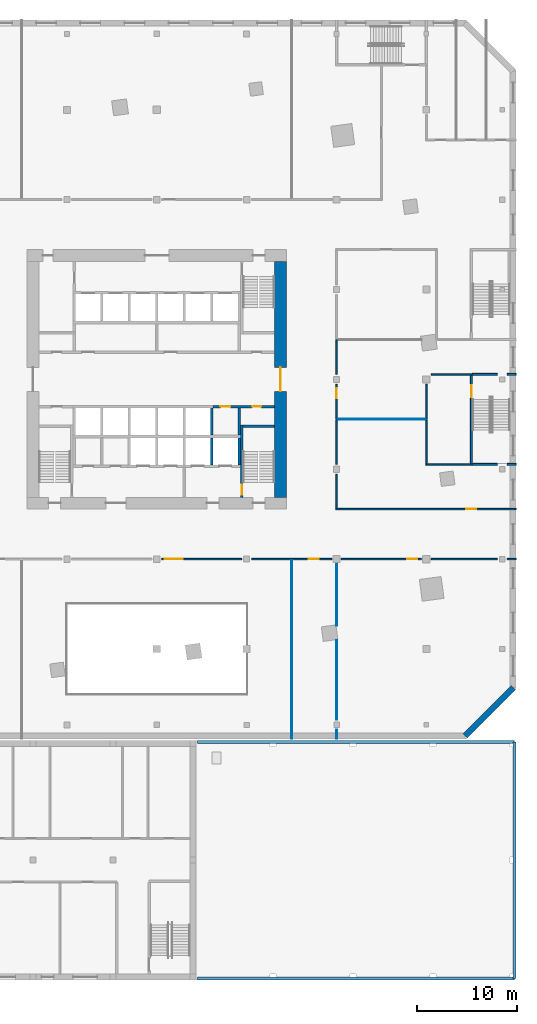
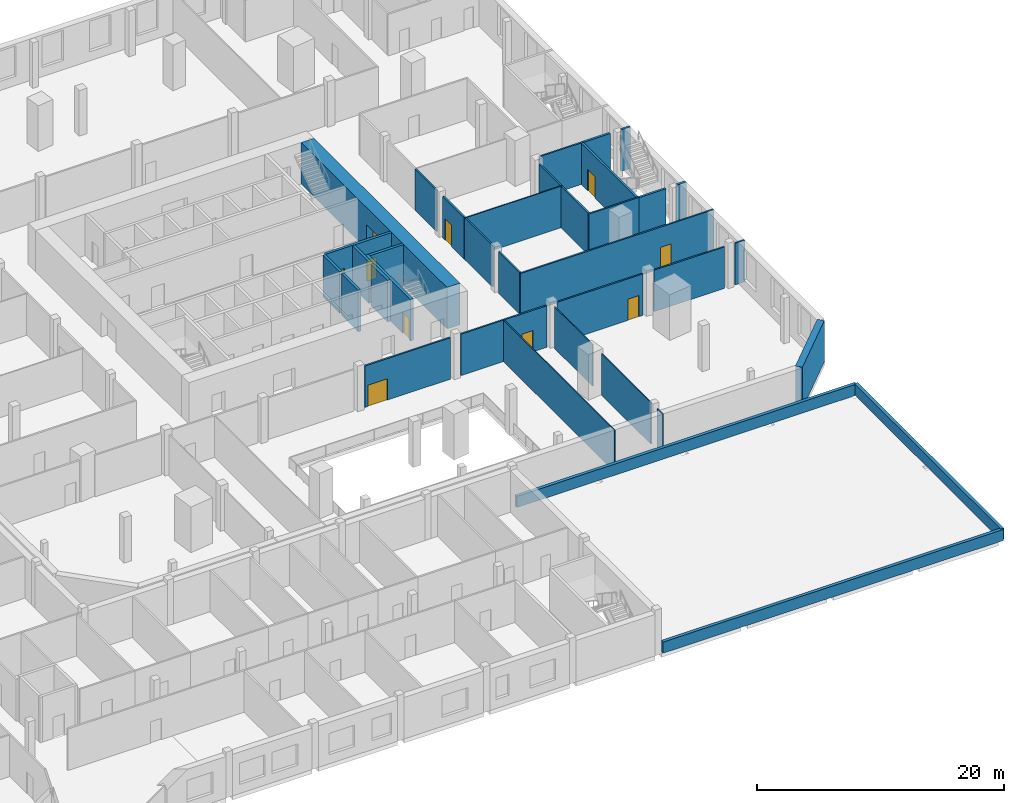
# One storey, part 8 of 20: 36 walls, 10 doors, 10 openings.
"""IFC4 building model written with IfcOpenShell, lengths in metres."""

from ifc_helpers import new_model, si_unit, direction, frame, frame_2d, origin, place, context, subcontext, project, spatial, rectangle, extrude, material, layer, layer_set, type_object, element, fill, save


model = new_model("IFC4")

# Units and contexts
model_context = context("Model", 3, precision=1e-05, world=origin(), true_north=direction((0.0, 1.0)))
body_context = subcontext(model_context, "Body", "Model", "MODEL_VIEW")
ifc_project = project(units=[si_unit("LENGTHUNIT", "METRE"), si_unit("AREAUNIT", "SQUARE_METRE"), si_unit("VOLUMEUNIT", "CUBIC_METRE"), si_unit("PLANEANGLEUNIT", "RADIAN"), si_unit("MASSUNIT", "GRAM", prefix="KILO")], contexts=[model_context])

# Site, building, storey
site_placement = place(None, origin())
site = spatial("IfcSite", under=ifc_project, at=site_placement, CompositionType="ELEMENT")
building_placement = place(site_placement, origin())
building = spatial("IfcBuilding", under=site, at=building_placement, Name="Dilmun Exchange Tower", CompositionType="ELEMENT")
storey_placement = place(building_placement, frame((0.0, 0.0, 9.0)))
storey = spatial("IfcBuildingStorey", under=building, at=storey_placement, Name="L02", CompositionType="ELEMENT", Elevation=9.0)

# Wall
ifc_material_1 = material(Name="Concrete C40/50", Category="concrete")
ifc_layer_1 = layer(ifc_material_1, 0.25)
ifc_layer_set_1 = layer_set([ifc_layer_1], Name="Concrete C40/50")
wall_type_1 = type_object("IfcWallType", Name="Core partition wall 250", PredefinedType="PARTITIONING", material=ifc_layer_set_1)
wall_1_placement = place(storey_placement, frame((8.25, -5.544921875, 0.0), z_axis=(0.0, 0.0, 1.0), x_axis=(0.0, 1.0, 0.0)))
element("IfcWall", 1, at=wall_1_placement, inside=storey, type_object=wall_type_1, Name="L02 core partition wall 05", PredefinedType="PARTITIONING", context=body_context, shape_type="SweptSolid", body=[
    extrude(rectangle(XDim=2.68994140625, YDim=0.25, at=frame_2d((1.344970703125, 0.0))), origin(), (0.0, 0.0, 1.0), 4.10009765625),
])

# Wall, openings, doors
wall_2_placement = place(storey_placement, frame((5.6298828125, -2.72509765625, 0.0), z_axis=(0.0, 0.0, 1.0), x_axis=(1.0, 0.0, 0.0)))
wall_2 = element("IfcWall", 2, at=wall_2_placement, inside=storey, type_object=wall_type_1, Name="L02 core partition wall 07", PredefinedType="PARTITIONING", context=body_context, shape_type="SweptSolid", body=[
    extrude(rectangle(XDim=6.1650390625, YDim=0.25, at=frame_2d((3.08251953125, 0.0))), origin(), (0.0, 0.0, 1.0), 4.10009765625),
])
opening_1_placement = place(wall_2_placement, frame((0.7451171875, 0.0, 0.0)))
opening_1 = element("IfcOpeningElement", 3, at=opening_1_placement, cuts=wall_2, Name="Opening CD4", PredefinedType="OPENING", context=body_context, shape_type="SweptSolid", body=[
    extrude(rectangle(XDim=1.0, YDim=2.10009765625, at=frame_2d((0.5, 1.050048828125))), frame((0.0, 0.135009765625, 0.0), z_axis=(0.0, -1.0, 0.0), x_axis=(1.0, 0.0, 0.0)), (0.0, 0.0, 1.0), 0.27001953125),
])
opening_2_placement = place(wall_2_placement, frame((3.919921875, 0.0, 0.0)))
opening_2 = element("IfcOpeningElement", 4, at=opening_2_placement, cuts=wall_2, Name="Opening CD6", PredefinedType="OPENING", context=body_context, shape_type="SweptSolid", body=[
    extrude(rectangle(XDim=0.89990234375, YDim=2.10009765625, at=frame_2d((0.449951171875, 1.050048828125))), frame((0.0, 0.135009765625, 0.0), z_axis=(0.0, -1.0, 0.0), x_axis=(1.0, 0.0, 0.0)), (0.0, 0.0, 1.0), 0.27001953125),
])
ifc_material_2 = material(Name="Fire-rated steel door set", Category="steel")
door_type_1 = type_object("IfcDoorType", Name="Core room door 1000x2100", OperationType="SINGLE_SWING_LEFT", PredefinedType="DOOR", material=ifc_material_2)
door_1_placement = place(opening_1_placement, origin())
door_1 = element("IfcDoor", 5, at=door_1_placement, inside=storey, type_object=door_type_1, Name="L02 door Cleaners' store", OperationType="SINGLE_SWING_LEFT", OverallHeight=2.10009765625, OverallWidth=1.0, PredefinedType="DOOR", context=body_context, shape_type="SweptSolid", body=[
    extrude(rectangle(XDim=1.0, YDim=2.10009765625, at=frame_2d((0.5, 1.050048828125))), frame((0.0, 0.02490234375, 0.0), z_axis=(0.0, -1.0, 0.0), x_axis=(1.0, 0.0, 0.0)), (0.0, 0.0, 1.0), 0.050048828125),
])
fill(opening_1, door_1)
door_type_2 = type_object("IfcDoorType", Name="Core room door 900x2100", OperationType="SINGLE_SWING_LEFT", PredefinedType="DOOR", material=ifc_material_2)
door_2_placement = place(opening_2_placement, origin())
door_2 = element("IfcDoor", 6, at=door_2_placement, inside=storey, type_object=door_type_2, Name="L02 door Comms riser", OperationType="SINGLE_SWING_LEFT", OverallHeight=2.10009765625, OverallWidth=0.89990234375, PredefinedType="DOOR", context=body_context, shape_type="SweptSolid", body=[
    extrude(rectangle(XDim=0.89990234375, YDim=2.10009765625, at=frame_2d((0.449951171875, 1.050048828125))), frame((0.0, 0.02490234375, 0.0), z_axis=(0.0, -1.0, 0.0), x_axis=(1.0, 0.0, 0.0)), (0.0, 0.0, 1.0), 0.050048828125),
])
fill(opening_2, door_2)

# Wall, opening, door
ifc_material_3 = material(Name="Concrete C80/95", Category="concrete")
ifc_layer_2 = layer(ifc_material_3, 1.199951171875)
ifc_layer_set_2 = layer_set([ifc_layer_2], Name="Concrete C80/95")
wall_type_2 = type_object("IfcWallType", Name="Core shear wall 1200 Concrete C80/95", PredefinedType="SHEAR", material=ifc_layer_set_2)
wall_3_placement = place(storey_placement, frame((12.39990234375, -11.800048828125, 0.0), z_axis=(0.0, 0.0, 1.0), x_axis=(0.0, 1.0, 0.0)))
wall_3 = element("IfcWall", 7, at=wall_3_placement, inside=storey, type_object=wall_type_2, Name="L02 core shear wall E", PredefinedType="SHEAR", context=body_context, shape_type="SweptSolid", body=[
    extrude(rectangle(XDim=23.60009765625, YDim=1.199951171875, at=frame_2d((11.800048828125, 0.0))), origin(), (0.0, 0.0, 1.0), 4.10009765625),
])
opening_3_placement = place(wall_3_placement, frame((10.60009765625, 0.0, 0.0)))
opening_3 = element("IfcOpeningElement", 8, at=opening_3_placement, cuts=wall_3, Name="Opening CD1", PredefinedType="OPENING", context=body_context, shape_type="SweptSolid", body=[
    extrude(rectangle(XDim=2.39990234375, YDim=2.39990234375, at=frame_2d((1.199951171875, 1.199951171875))), frame((0.0, 0.60986328125, 0.0), z_axis=(0.0, -1.0, 0.0), x_axis=(1.0, 0.0, 0.0)), (0.0, 0.0, 1.0), 1.219970703125),
])
door_type_3 = type_object("IfcDoorType", Name="Core lobby door 2400x2400", OperationType="DOUBLE_DOOR_DOUBLE_SWING", PredefinedType="DOOR", material=ifc_material_2)
door_3_placement = place(opening_3_placement, origin())
door_3 = element("IfcDoor", 9, at=door_3_placement, inside=storey, type_object=door_type_3, Name="L02 door Central lift lobby", OperationType="SINGLE_SWING_LEFT", OverallHeight=2.39990234375, OverallWidth=2.39990234375, PredefinedType="DOOR", context=body_context, shape_type="SweptSolid", body=[
    extrude(rectangle(XDim=2.39990234375, YDim=2.39990234375, at=frame_2d((1.199951171875, 1.199951171875))), frame((0.0, 0.02490234375, 0.0), z_axis=(0.0, -1.0, 0.0), x_axis=(1.0, 0.0, 0.0)), (0.0, 0.0, 1.0), 0.050048828125),
])
fill(opening_3, door_3)

ifc_material_4 = material(Name="Fire partition EI 60 150 gypsum")
ifc_layer_3 = layer(ifc_material_4, 0.14990234375)
ifc_layer_set_3 = layer_set([ifc_layer_3], Name="Fire partition EI 60 150 gypsum")
wall_type_3 = type_object("IfcWallType", Name="Fire partition EI 60 150 gypsum", PredefinedType="PARTITIONING", material=ifc_layer_set_3)
wall_4_placement = place(storey_placement, frame((0.5, -18.0, 0.0), z_axis=(0.0, 0.0, 1.0), x_axis=(1.0, 0.0, 0.0)))
wall_4 = element("IfcWall", 10, at=wall_4_placement, inside=storey, type_object=wall_type_3, Name="L02 partition", PredefinedType="PARTITIONING", context=body_context, shape_type="SweptSolid", body=[
    extrude(rectangle(XDim=8.0, YDim=0.14990234375, at=frame_2d((4.0, 0.0))), origin(), (0.0, 0.0, 1.0), 4.10009765625),
])
opening_4_placement = place(wall_4_placement, frame((0.300048828125, 0.0, 0.0)))
opening_4 = element("IfcOpeningElement", 11, at=opening_4_placement, cuts=wall_4, Name="Opening L02-D014", PredefinedType="OPENING", context=body_context, shape_type="SweptSolid", body=[
    extrude(rectangle(XDim=1.800048828125, YDim=2.10009765625, at=frame_2d((0.89990234375, 1.050048828125))), frame((0.0, 0.0849609375, 0.0), z_axis=(0.0, -1.0, 0.0), x_axis=(1.0, 0.0, 0.0)), (0.0, 0.0, 1.0), 0.169921875),
])
ifc_material_5 = material(Name="Fire door FD60 double 1800 x 2100")
door_type_4 = type_object("IfcDoorType", Name="Fire door FD60 double 1800 x 2100", OperationType="DOUBLE_DOOR_SINGLE_SWING", PredefinedType="DOOR", material=ifc_material_5)
door_4_placement = place(opening_4_placement, origin())
door_4 = element("IfcDoor", 12, at=door_4_placement, inside=storey, type_object=door_type_4, Name="L02 door L02-D014", OperationType="DOUBLE_DOOR_SINGLE_SWING", OverallHeight=2.10009765625, OverallWidth=1.800048828125, PredefinedType="DOOR", context=body_context, shape_type="SweptSolid", body=[
    extrude(rectangle(XDim=1.800048828125, YDim=2.10009765625, at=frame_2d((0.89990234375, 1.050048828125))), frame((0.0, 0.02490234375, 0.0), z_axis=(0.0, -1.0, 0.0), x_axis=(1.0, 0.0, 0.0)), (0.0, 0.0, 1.0), 0.050048828125),
])
fill(opening_4, door_4)

wall_5_placement = place(storey_placement, frame((9.5, -18.0, 0.0), z_axis=(0.0, 0.0, 1.0), x_axis=(1.0, 0.0, 0.0)))
wall_5 = element("IfcWall", 13, at=wall_5_placement, inside=storey, type_object=wall_type_3, Name="L02 partition", PredefinedType="PARTITIONING", context=body_context, shape_type="SweptSolid", body=[
    extrude(rectangle(XDim=8.0, YDim=0.14990234375, at=frame_2d((4.0, 0.0))), origin(), (0.0, 0.0, 1.0), 4.10009765625),
])
opening_5_placement = place(wall_5_placement, frame((5.699951171875, 0.0, 0.0)))
opening_5 = element("IfcOpeningElement", 14, at=opening_5_placement, cuts=wall_5, Name="Opening L02-D015", PredefinedType="OPENING", context=body_context, shape_type="SweptSolid", body=[
    extrude(rectangle(XDim=1.0, YDim=2.10009765625, at=frame_2d((0.5, 1.050048828125))), frame((0.0, 0.0849609375, 0.0), z_axis=(0.0, -1.0, 0.0), x_axis=(1.0, 0.0, 0.0)), (0.0, 0.0, 1.0), 0.169921875),
])
ifc_material_6 = material(Name="Fire door FD60 1000 x 2100")
door_type_5 = type_object("IfcDoorType", Name="Fire door FD60 1000 x 2100", OperationType="SINGLE_SWING_LEFT", PredefinedType="DOOR", material=ifc_material_6)
door_5_placement = place(opening_5_placement, origin())
door_5 = element("IfcDoor", 15, at=door_5_placement, inside=storey, type_object=door_type_5, Name="L02 door L02-D015", OperationType="SINGLE_SWING_LEFT", OverallHeight=2.10009765625, OverallWidth=1.0, PredefinedType="DOOR", context=body_context, shape_type="SweptSolid", body=[
    extrude(rectangle(XDim=1.0, YDim=2.10009765625, at=frame_2d((0.5, 1.050048828125))), frame((0.0, 0.02490234375, 0.0), z_axis=(0.0, -1.0, 0.0), x_axis=(1.0, 0.0, 0.0)), (0.0, 0.0, 1.0), 0.050048828125),
])
fill(opening_5, door_5)

wall_6_placement = place(storey_placement, frame((18.5, -18.0, 0.0), z_axis=(0.0, 0.0, 1.0), x_axis=(1.0, 0.0, 0.0)))
wall_6 = element("IfcWall", 16, at=wall_6_placement, inside=storey, type_object=wall_type_3, Name="L02 partition", PredefinedType="PARTITIONING", context=body_context, shape_type="SweptSolid", body=[
    extrude(rectangle(XDim=8.0, YDim=0.14990234375, at=frame_2d((4.0, 0.0))), origin(), (0.0, 0.0, 1.0), 4.10009765625),
])
opening_6_placement = place(wall_6_placement, frame((6.60009765625, 0.0, 0.0)))
opening_6 = element("IfcOpeningElement", 17, at=opening_6_placement, cuts=wall_6, Name="Opening L02-D016", PredefinedType="OPENING", context=body_context, shape_type="SweptSolid", body=[
    extrude(rectangle(XDim=1.0, YDim=2.10009765625, at=frame_2d((0.5, 1.050048828125))), frame((0.0, 0.0849609375, 0.0), z_axis=(0.0, -1.0, 0.0), x_axis=(1.0, 0.0, 0.0)), (0.0, 0.0, 1.0), 0.169921875),
])
door_6_placement = place(opening_6_placement, origin())
door_6 = element("IfcDoor", 18, at=door_6_placement, inside=storey, type_object=door_type_5, Name="L02 door L02-D016", OperationType="SINGLE_SWING_RIGHT", OverallHeight=2.10009765625, OverallWidth=1.0, PredefinedType="DOOR", context=body_context, shape_type="SweptSolid", body=[
    extrude(rectangle(XDim=1.0, YDim=2.10009765625, at=frame_2d((0.5, 1.050048828125))), frame((0.0, 0.02490234375, 0.0), z_axis=(0.0, -1.0, 0.0), x_axis=(1.0, 0.0, 0.0)), (0.0, 0.0, 1.0), 0.050048828125),
])
fill(opening_6, door_6)

# Walls
wall_7_placement = place(storey_placement, frame((27.5, -18.0, 0.0), z_axis=(0.0, 0.0, 1.0), x_axis=(1.0, 0.0, 0.0)))
element("IfcWall", 19, at=wall_7_placement, inside=storey, type_object=wall_type_3, Name="L02 partition", PredefinedType="PARTITIONING", context=body_context, shape_type="SweptSolid", body=[
    extrude(rectangle(XDim=6.60009765625, YDim=0.14990234375, at=frame_2d((3.300048828125, 0.0))), origin(), (0.0, 0.0, 1.0), 4.10009765625),
])
wall_8_placement = place(storey_placement, frame((35.10009765625, -18.0, 0.0), z_axis=(0.0, 0.0, 1.0), x_axis=(1.0, 0.0, 0.0)))
element("IfcWall", 20, at=wall_8_placement, inside=storey, type_object=wall_type_3, Name="L02 partition", PredefinedType="PARTITIONING", context=body_context, shape_type="SweptSolid", body=[
    extrude(rectangle(XDim=0.89990234375, YDim=0.14990234375, at=frame_2d((0.449951171875, 0.0))), origin(), (0.0, 0.0, 1.0), 4.10009765625),
])

# Wall, opening, door
wall_9_placement = place(storey_placement, frame((17.925048828125, -13.0, 0.0), z_axis=(0.0, 0.0, 1.0), x_axis=(1.0, 0.0, 0.0)))
wall_9 = element("IfcWall", 21, at=wall_9_placement, inside=storey, type_object=wall_type_3, Name="L02 partition", PredefinedType="PARTITIONING", context=body_context, shape_type="SweptSolid", body=[
    extrude(rectangle(XDim=18.074951171875, YDim=0.14990234375, at=frame_2d((9.03759765625, 0.0))), origin(), (0.0, 0.0, 1.0), 4.10009765625),
])
opening_7_placement = place(wall_9_placement, frame((13.074951171875, 0.0, 0.0)))
opening_7 = element("IfcOpeningElement", 22, at=opening_7_placement, cuts=wall_9, Name="Opening L02-D020", PredefinedType="OPENING", context=body_context, shape_type="SweptSolid", body=[
    extrude(rectangle(XDim=1.0, YDim=2.10009765625, at=frame_2d((0.5, 1.050048828125))), frame((0.0, 0.0849609375, 0.0), z_axis=(0.0, -1.0, 0.0), x_axis=(1.0, 0.0, 0.0)), (0.0, 0.0, 1.0), 0.169921875),
])
door_7_placement = place(opening_7_placement, origin())
door_7 = element("IfcDoor", 23, at=door_7_placement, inside=storey, type_object=door_type_5, Name="L02 door L02-D020", OperationType="SINGLE_SWING_RIGHT", OverallHeight=2.10009765625, OverallWidth=1.0, PredefinedType="DOOR", context=body_context, shape_type="SweptSolid", body=[
    extrude(rectangle(XDim=1.0, YDim=2.10009765625, at=frame_2d((0.5, 1.050048828125))), frame((0.0, 0.02490234375, 0.0), z_axis=(0.0, -1.0, 0.0), x_axis=(1.0, 0.0, 0.0)), (0.0, 0.0, 1.0), 0.050048828125),
])
fill(opening_7, door_7)

# Walls
wall_10_placement = place(storey_placement, frame((26.925048828125, -8.5, 0.0), z_axis=(0.0, 0.0, 1.0), x_axis=(1.0, 0.0, 0.0)))
element("IfcWall", 24, at=wall_10_placement, inside=storey, type_object=wall_type_3, Name="L02 partition", PredefinedType="PARTITIONING", context=body_context, shape_type="SweptSolid", body=[
    extrude(rectangle(XDim=4.675048828125, YDim=0.14990234375, at=frame_2d((2.33740234375, 0.0))), origin(), (0.0, 0.0, 1.0), 4.10009765625),
])
wall_11_placement = place(storey_placement, frame((27.5, 0.5, 0.0), z_axis=(0.0, 0.0, 1.0), x_axis=(1.0, 0.0, 0.0)))
element("IfcWall", 25, at=wall_11_placement, inside=storey, type_object=wall_type_3, Name="L02 partition", PredefinedType="PARTITIONING", context=body_context, shape_type="SweptSolid", body=[
    extrude(rectangle(XDim=4.10009765625, YDim=0.14990234375, at=frame_2d((2.050048828125, 0.0))), origin(), (0.0, 0.0, 1.0), 4.10009765625),
])
wall_12_placement = place(storey_placement, frame((18.0, -12.925048828125, 0.0), z_axis=(0.0, 0.0, 1.0), x_axis=(0.0, 1.0, 0.0)))
element("IfcWall", 26, at=wall_12_placement, inside=storey, type_object=wall_type_3, Name="L02 partition", PredefinedType="PARTITIONING", context=body_context, shape_type="SweptSolid", body=[
    extrude(rectangle(XDim=3.425048828125, YDim=0.14990234375, at=frame_2d((1.71240234375, 0.0))), origin(), (0.0, 0.0, 1.0), 4.10009765625),
])
wall_13_placement = place(storey_placement, frame((18.0, -8.5, 0.0), z_axis=(0.0, 0.0, 1.0), x_axis=(0.0, 1.0, 0.0)))
element("IfcWall", 27, at=wall_13_placement, inside=storey, type_object=wall_type_3, Name="L02 partition", PredefinedType="PARTITIONING", context=body_context, shape_type="SweptSolid", body=[
    extrude(rectangle(XDim=4.449951171875, YDim=0.14990234375, at=frame_2d((2.22509765625, 0.0))), origin(), (0.0, 0.0, 1.0), 4.10009765625),
])

# Wall, opening, door
wall_14_placement = place(storey_placement, frame((18.0, -3.949951171875, 0.0), z_axis=(0.0, 0.0, 1.0), x_axis=(0.0, 1.0, 0.0)))
wall_14 = element("IfcWall", 28, at=wall_14_placement, inside=storey, type_object=wall_type_3, Name="L02 partition", PredefinedType="PARTITIONING", context=body_context, shape_type="SweptSolid", body=[
    extrude(rectangle(XDim=3.449951171875, YDim=0.14990234375, at=frame_2d((1.72509765625, 0.0))), origin(), (0.0, 0.0, 1.0), 4.10009765625),
])
opening_8_placement = place(wall_14_placement, frame((2.050048828125, 0.0, 0.0)))
opening_8 = element("IfcOpeningElement", 29, at=opening_8_placement, cuts=wall_14, Name="Opening L02-D021", PredefinedType="OPENING", context=body_context, shape_type="SweptSolid", body=[
    extrude(rectangle(XDim=1.0, YDim=2.10009765625, at=frame_2d((0.5, 1.050048828125))), frame((0.0, 0.0849609375, 0.0), z_axis=(0.0, -1.0, 0.0), x_axis=(1.0, 0.0, 0.0)), (0.0, 0.0, 1.0), 0.169921875),
])
door_8_placement = place(opening_8_placement, origin())
door_8 = element("IfcDoor", 30, at=door_8_placement, inside=storey, type_object=door_type_5, Name="L02 door L02-D021", OperationType="SINGLE_SWING_LEFT", OverallHeight=2.10009765625, OverallWidth=1.0, PredefinedType="DOOR", context=body_context, shape_type="SweptSolid", body=[
    extrude(rectangle(XDim=1.0, YDim=2.10009765625, at=frame_2d((0.5, 1.050048828125))), frame((0.0, 0.02490234375, 0.0), z_axis=(0.0, -1.0, 0.0), x_axis=(1.0, 0.0, 0.0)), (0.0, 0.0, 1.0), 0.050048828125),
])
fill(opening_8, door_8)

# Walls
wall_15_placement = place(storey_placement, frame((18.0, 0.5, 0.0), z_axis=(0.0, 0.0, 1.0), x_axis=(0.0, 1.0, 0.0)))
element("IfcWall", 31, at=wall_15_placement, inside=storey, type_object=wall_type_3, Name="L02 partition", PredefinedType="PARTITIONING", context=body_context, shape_type="SweptSolid", body=[
    extrude(rectangle(XDim=3.449951171875, YDim=0.14990234375, at=frame_2d((1.72509765625, 0.0))), origin(), (0.0, 0.0, 1.0), 4.10009765625),
])
wall_16_placement = place(storey_placement, frame((27.0, -8.425048828125, 0.0), z_axis=(0.0, 0.0, 1.0), x_axis=(0.0, 1.0, 0.0)))
element("IfcWall", 32, at=wall_16_placement, inside=storey, type_object=wall_type_3, Name="L02 partition", PredefinedType="PARTITIONING", context=body_context, shape_type="SweptSolid", body=[
    extrude(rectangle(XDim=4.375, YDim=0.14990234375, at=frame_2d((2.1875, 0.0))), origin(), (0.0, 0.0, 1.0), 4.10009765625),
])
wall_17_placement = place(storey_placement, frame((27.0, -3.949951171875, 0.0), z_axis=(0.0, 0.0, 1.0), x_axis=(0.0, 1.0, 0.0)))
element("IfcWall", 33, at=wall_17_placement, inside=storey, type_object=wall_type_3, Name="L02 partition", PredefinedType="PARTITIONING", context=body_context, shape_type="SweptSolid", body=[
    extrude(rectangle(XDim=3.449951171875, YDim=0.14990234375, at=frame_2d((1.72509765625, 0.0))), origin(), (0.0, 0.0, 1.0), 4.10009765625),
])
ifc_material_7 = material(Name="Fire wall EI 120 200 blockwork", Category="masonry")
ifc_layer_4 = layer(ifc_material_7, 0.199951171875)
ifc_layer_set_4 = layer_set([ifc_layer_4], Name="Fire wall EI 120 200 blockwork")
wall_type_4 = type_object("IfcWallType", Name="Fire wall EI 120 200 blockwork", PredefinedType="PARTITIONING", material=ifc_layer_set_4)
wall_18_placement = place(storey_placement, frame((31.60009765625, -8.5, 0.0), z_axis=(0.0, 0.0, 1.0), x_axis=(1.0, 0.0, 0.0)))
element("IfcWall", 34, at=wall_18_placement, inside=storey, type_object=wall_type_4, Name="L02 stair wall", PredefinedType="PARTITIONING", context=body_context, shape_type="SweptSolid", body=[
    extrude(rectangle(XDim=2.5, YDim=0.199951171875, at=frame_2d((1.25, 0.0))), origin(), (0.0, 0.0, 1.0), 4.10009765625),
])
wall_19_placement = place(storey_placement, frame((35.10009765625, -8.5, 0.0), z_axis=(0.0, 0.0, 1.0), x_axis=(1.0, 0.0, 0.0)))
element("IfcWall", 35, at=wall_19_placement, inside=storey, type_object=wall_type_4, Name="L02 stair wall", PredefinedType="PARTITIONING", context=body_context, shape_type="SweptSolid", body=[
    extrude(rectangle(XDim=0.89990234375, YDim=0.199951171875, at=frame_2d((0.449951171875, 0.0))), origin(), (0.0, 0.0, 1.0), 4.10009765625),
])
wall_20_placement = place(storey_placement, frame((31.60009765625, 0.5, 0.0), z_axis=(0.0, 0.0, 1.0), x_axis=(1.0, 0.0, 0.0)))
element("IfcWall", 36, at=wall_20_placement, inside=storey, type_object=wall_type_4, Name="L02 stair wall", PredefinedType="PARTITIONING", context=body_context, shape_type="SweptSolid", body=[
    extrude(rectangle(XDim=2.5, YDim=0.199951171875, at=frame_2d((1.25, 0.0))), origin(), (0.0, 0.0, 1.0), 4.10009765625),
])
wall_21_placement = place(storey_placement, frame((35.10009765625, 0.5, 0.0), z_axis=(0.0, 0.0, 1.0), x_axis=(1.0, 0.0, 0.0)))
element("IfcWall", 37, at=wall_21_placement, inside=storey, type_object=wall_type_4, Name="L02 stair wall", PredefinedType="PARTITIONING", context=body_context, shape_type="SweptSolid", body=[
    extrude(rectangle(XDim=0.89990234375, YDim=0.199951171875, at=frame_2d((0.449951171875, 0.0))), origin(), (0.0, 0.0, 1.0), 4.10009765625),
])

# Wall, opening, door
wall_22_placement = place(storey_placement, frame((31.5, -8.39990234375, 0.0), z_axis=(0.0, 0.0, 1.0), x_axis=(0.0, 1.0, 0.0)))
wall_22 = element("IfcWall", 38, at=wall_22_placement, inside=storey, type_object=wall_type_4, Name="L02 stair wall", PredefinedType="PARTITIONING", context=body_context, shape_type="SweptSolid", body=[
    extrude(rectangle(XDim=8.824951171875, YDim=0.199951171875, at=frame_2d((4.41259765625, 0.0))), origin(), (0.0, 0.0, 1.0), 4.10009765625),
])
opening_9_placement = place(wall_22_placement, frame((6.60009765625, 0.0, 0.0)))
opening_9 = element("IfcOpeningElement", 39, at=opening_9_placement, cuts=wall_22, Name="Opening L02-D003", PredefinedType="OPENING", context=body_context, shape_type="SweptSolid", body=[
    extrude(rectangle(XDim=1.199951171875, YDim=2.10009765625, at=frame_2d((0.60009765625, 1.050048828125))), frame((0.0, 0.10986328125, 0.0), z_axis=(0.0, -1.0, 0.0), x_axis=(1.0, 0.0, 0.0)), (0.0, 0.0, 1.0), 0.219970703125),
])
ifc_material_8 = material(Name="Stair door FD90 1200 x 2100")
door_type_6 = type_object("IfcDoorType", Name="Stair door FD90 1200 x 2100", OperationType="SINGLE_SWING_LEFT", PredefinedType="DOOR", material=ifc_material_8)
door_9_placement = place(opening_9_placement, frame((1.199951171875, 0.0, 0.0), z_axis=(0.0, 0.0, 1.0), x_axis=(-1.0, 0.0, 0.0)))
door_9 = element("IfcDoor", 40, at=door_9_placement, inside=storey, type_object=door_type_6, Name="L02 door L02-D003", OperationType="SINGLE_SWING_LEFT", OverallHeight=2.10009765625, OverallWidth=1.199951171875, PredefinedType="DOOR", context=body_context, shape_type="SweptSolid", body=[
    extrude(rectangle(XDim=1.199951171875, YDim=2.10009765625, at=frame_2d((0.60009765625, 1.050048828125))), frame((0.0, 0.02490234375, 0.0), z_axis=(0.0, -1.0, 0.0), x_axis=(1.0, 0.0, 0.0)), (0.0, 0.0, 1.0), 0.050048828125),
])
fill(opening_9, door_9)

# Walls
ifc_layer_5 = layer(ifc_material_1, 0.25)
ifc_layer_set_5 = layer_set([ifc_layer_5], Name="Concrete C40/50")
wall_type_5 = type_object("IfcWallType", Name="Lift shaft wall 250", PredefinedType="SOLIDWALL", material=ifc_layer_set_5)
for number, where, z_axis, x_axis, name in (
    (41, (5.5, -5.550048828125, 0.0), (0.0, 0.0, 1.0), (0.0, 1.0, 0.0), "L02 lift shaft divider S15"),
    (42, (5.5, -8.550048828125, 0.0), (0.0, 0.0, 1.0), (0.0, 1.0, 0.0), "L02 lift shaft divider S25"),
    (43, (8.25, -8.550048828125, 0.0), (0.0, 0.0, 1.0), (0.0, 1.0, 0.0), "L02 lift shaft divider S26"),
):
    element("IfcWall", number, at=place(storey_placement, frame(where, z_axis=z_axis, x_axis=x_axis)), inside=storey, type_object=wall_type_5, Name=name, PredefinedType="SOLIDWALL", context=body_context, shape_type="SweptSolid", body=[
        extrude(rectangle(XDim=2.699951171875, YDim=0.25, at=frame_2d((1.35009765625, 0.0))), origin(), (0.0, 0.0, 1.0), 4.10009765625),
    ])
ifc_material_9 = material(Name="Partition 100 gypsum")
ifc_layer_6 = layer(ifc_material_9, 0.10009765625)
ifc_layer_set_6 = layer_set([ifc_layer_6], Name="Partition 100 gypsum")
wall_type_6 = type_object("IfcWallType", Name="Partition 100 gypsum", PredefinedType="PARTITIONING", material=ifc_layer_set_6)
wall_23_placement = place(storey_placement, frame((18.074951171875, -4.0, 0.0), z_axis=(0.0, 0.0, 1.0), x_axis=(1.0, 0.0, 0.0)))
element("IfcWall", 44, at=wall_23_placement, inside=storey, type_object=wall_type_6, Name="L02 partition", PredefinedType="PARTITIONING", context=body_context, shape_type="SweptSolid", body=[
    extrude(rectangle(XDim=8.85009765625, YDim=0.10009765625, at=frame_2d((4.425048828125, 0.0))), origin(), (0.0, 0.0, 1.0), 4.10009765625),
])
wall_24_placement = place(storey_placement, frame((13.5, -36.0, 0.0), z_axis=(0.0, 0.0, 1.0), x_axis=(0.0, 1.0, 0.0)))
element("IfcWall", 45, at=wall_24_placement, inside=storey, type_object=wall_type_6, Name="L02 partition", PredefinedType="PARTITIONING", context=body_context, shape_type="SweptSolid", body=[
    extrude(rectangle(XDim=17.925048828125, YDim=0.10009765625, at=frame_2d((8.96240234375, 0.0))), origin(), (0.0, 0.0, 1.0), 4.10009765625),
])
wall_25_placement = place(storey_placement, frame((18.0, -36.0, 0.0), z_axis=(0.0, 0.0, 1.0), x_axis=(0.0, 1.0, 0.0)))
element("IfcWall", 46, at=wall_25_placement, inside=storey, type_object=wall_type_6, Name="L02 partition", PredefinedType="PARTITIONING", context=body_context, shape_type="SweptSolid", body=[
    extrude(rectangle(XDim=0.89990234375, YDim=0.10009765625, at=frame_2d((0.449951171875, 0.0))), origin(), (0.0, 0.0, 1.0), 4.10009765625),
])
wall_26_placement = place(storey_placement, frame((18.0, -34.10009765625, 0.0), z_axis=(0.0, 0.0, 1.0), x_axis=(0.0, 1.0, 0.0)))
element("IfcWall", 47, at=wall_26_placement, inside=storey, type_object=wall_type_6, Name="L02 partition", PredefinedType="PARTITIONING", context=body_context, shape_type="SweptSolid", body=[
    extrude(rectangle(XDim=7.956787109375, YDim=0.10009765625, at=frame_2d((3.978515625, 0.0))), origin(), (0.0, 0.0, 1.0), 4.10009765625),
])
wall_27_placement = place(storey_placement, frame((18.0, -24.680908203125, 0.0), z_axis=(0.0, 0.0, 1.0), x_axis=(0.0, 1.0, 0.0)))
element("IfcWall", 48, at=wall_27_placement, inside=storey, type_object=wall_type_6, Name="L02 partition", PredefinedType="PARTITIONING", context=body_context, shape_type="SweptSolid", body=[
    extrude(rectangle(XDim=6.180908203125, YDim=0.10009765625, at=frame_2d((3.09033203125, 0.0))), origin(), (0.0, 0.0, 1.0), 4.10009765625),
])
ifc_material_10 = material(Name="Precast concrete C50/60", Category="concrete")
ifc_layer_7 = layer(ifc_material_10, 0.60009765625)
ifc_layer_set_7 = layer_set([ifc_layer_7], Name="Precast concrete C50/60")
wall_type_7 = type_object("IfcWallType", Name="Precast stone-clad wall 600", PredefinedType="STANDARD", material=ifc_layer_set_7)
wall_28_placement = place(storey_placement, frame((30.875732421875, -35.699951171875, 0.0), z_axis=(0.0, 0.0, 1.0), x_axis=(0.707106781187, 0.707106781187, 0.0)))
element("IfcWall", 49, at=wall_28_placement, inside=storey, type_object=wall_type_7, Name="Facade wall L02-01-0", PredefinedType="STANDARD", context=body_context, shape_type="SweptSolid", body=[
    extrude(rectangle(XDim=6.822509765625, YDim=0.60009765625, at=frame_2d((3.4111328125, 0.0))), origin(), (0.0, 0.0, 1.0), 4.10009765625),
])
ifc_material_11 = material(Name="Precast concrete C40/50", Category="concrete")
ifc_layer_8 = layer(ifc_material_11, 0.300048828125)
ifc_layer_set_8 = layer_set([ifc_layer_8], Name="Precast concrete C40/50")
wall_type_8 = type_object("IfcWallType", Name="School roof parapet 300 precast C40/50", PredefinedType="PARAPET", material=ifc_layer_set_8)
for number, where, z_axis, x_axis, name in (
    (50, (35.85009765625, -60.0, 0.0), (0.0, 0.0, 1.0), (-1.0, 0.0, 0.0), "School roof parapet"),
    (51, (4.0830078125, -36.300048828125, 0.0), (0.0, 0.0, 1.0), (1.0, 0.0, 0.0), "School roof parapet"),
):
    element("IfcWall", number, at=place(storey_placement, frame(where, z_axis=z_axis, x_axis=x_axis)), inside=storey, type_object=wall_type_8, Name=name, PredefinedType="PARAPET", context=body_context, shape_type="SweptSolid", body=[
        extrude(rectangle(XDim=31.76708984375, YDim=0.300048828125, at=frame_2d((15.883544921875, 0.0))), origin(), (0.0, 0.0, 1.0), 1.10009765625),
    ])
wall_29_placement = place(storey_placement, frame((35.85009765625, -36.300048828125, 0.0), z_axis=(0.0, 0.0, 1.0), x_axis=(0.0, -1.0, 0.0)))
element("IfcWall", 52, at=wall_29_placement, inside=storey, type_object=wall_type_8, Name="School roof parapet", PredefinedType="PARAPET", context=body_context, shape_type="SweptSolid", body=[
    extrude(rectangle(XDim=23.699951171875, YDim=0.300048828125, at=frame_2d((11.85009765625, 0.0))), origin(), (0.0, 0.0, 1.0), 1.10009765625),
])
ifc_layer_9 = layer(ifc_material_1, 0.25)
ifc_layer_set_9 = layer_set([ifc_layer_9], Name="Concrete C40/50")
wall_type_9 = type_object("IfcWallType", Name="Stair end wall 250", PredefinedType="SOLIDWALL", material=ifc_layer_set_9)
wall_30_placement = place(storey_placement, frame((8.64990234375, -4.675048828125, 0.0), z_axis=(0.0, 0.0, 1.0), x_axis=(1.0, 0.0, 0.0)))
element("IfcWall", 53, at=wall_30_placement, inside=storey, type_object=wall_type_9, Name="L02 ST3 far wall", PredefinedType="SOLIDWALL", context=body_context, shape_type="SweptSolid", body=[
    extrude(rectangle(XDim=3.150146484375, YDim=0.25, at=frame_2d((1.5751953125, 0.0))), origin(), (0.0, 0.0, 1.0), 4.10009765625),
])

# Wall, opening, door
ifc_layer_10 = layer(ifc_material_1, 0.27490234375)
ifc_layer_set_10 = layer_set([ifc_layer_10], Name="Concrete C40/50")
wall_type_10 = type_object("IfcWallType", Name="Stair wall 275", PredefinedType="SOLIDWALL", material=ifc_layer_set_10)
wall_31_placement = place(storey_placement, frame((8.512451171875, -4.550048828125, 0.0), z_axis=(0.0, 0.0, 1.0), x_axis=(0.0, -1.0, 0.0)))
wall_31 = element("IfcWall", 54, at=wall_31_placement, inside=storey, type_object=wall_type_10, Name="L02 ST3 wall to lift block", PredefinedType="SOLIDWALL", context=body_context, shape_type="SweptSolid", body=[
    extrude(rectangle(XDim=7.25, YDim=0.27490234375, at=frame_2d((3.625, 0.0))), origin(), (0.0, 0.0, 1.0), 4.10009765625),
])
opening_10_placement = place(wall_31_placement, frame((6.0, 0.0, 0.0)))
opening_10 = element("IfcOpeningElement", 55, at=opening_10_placement, cuts=wall_31, Name="Opening CD4", PredefinedType="OPENING", context=body_context, shape_type="SweptSolid", body=[
    extrude(rectangle(XDim=1.0, YDim=2.10009765625, at=frame_2d((0.5, 1.050048828125))), frame((0.0, 0.1474609375, 0.0), z_axis=(0.0, -1.0, 0.0), x_axis=(1.0, 0.0, 0.0)), (0.0, 0.0, 1.0), 0.294921875),
])
door_10_placement = place(opening_10_placement, origin())
door_10 = element("IfcDoor", 56, at=door_10_placement, inside=storey, type_object=door_type_1, Name="L02 door ST3 from lobby", OperationType="SINGLE_SWING_LEFT", OverallHeight=2.10009765625, OverallWidth=1.0, PredefinedType="DOOR", context=body_context, shape_type="SweptSolid", body=[
    extrude(rectangle(XDim=1.0, YDim=2.10009765625, at=frame_2d((0.5, 1.050048828125))), frame((0.0, 0.02490234375, 0.0), z_axis=(0.0, -1.0, 0.0), x_axis=(1.0, 0.0, 0.0)), (0.0, 0.0, 1.0), 0.050048828125),
])
fill(opening_10, door_10)

save(model, "model.ifc")
